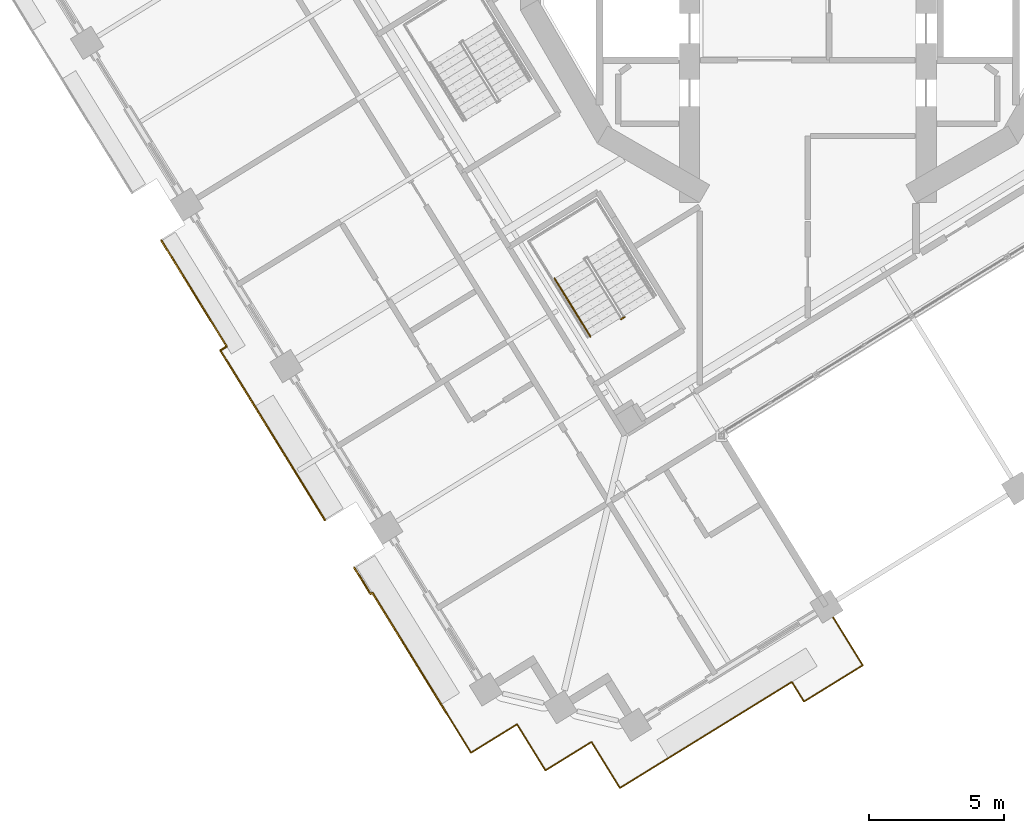
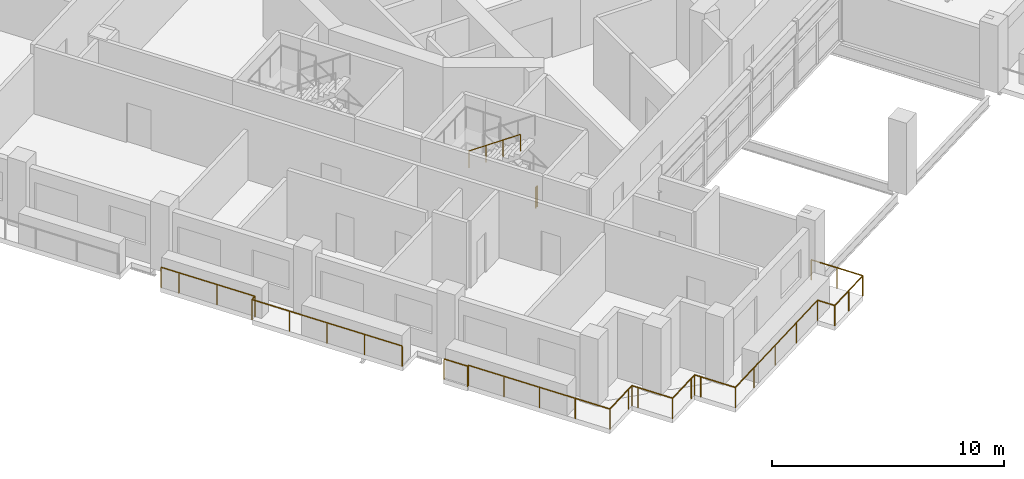
# One storey, part 16 of 22: 6 railings.
"""IFC4 building model written with IfcOpenShell, lengths in metres."""

from ifc_helpers import new_model, si_unit, direction, frame, origin, origin_2d, place, context, subcontext, project, spatial, circle, extrude, material, type_object, element, save


model = new_model("IFC4")

# Units and contexts
model_context = context("Model", 3, precision=1e-05, world=origin(), true_north=direction((0.0, 1.0)))
body_context = subcontext(model_context, "Body", "Model", "MODEL_VIEW")
ifc_project = project(units=[si_unit("LENGTHUNIT", "METRE"), si_unit("AREAUNIT", "SQUARE_METRE"), si_unit("VOLUMEUNIT", "CUBIC_METRE"), si_unit("PLANEANGLEUNIT", "RADIAN"), si_unit("MASSUNIT", "GRAM", prefix="KILO")], contexts=[model_context])

# Site, building, storey
site_placement = place(None, origin())
site = spatial("IfcSite", under=ifc_project, at=site_placement, CompositionType="ELEMENT")
building_placement = place(site_placement, origin())
building = spatial("IfcBuilding", under=site, at=building_placement, Name="Cantera Rosa Tower", CompositionType="ELEMENT")
storey_placement = place(building_placement, frame((0.0, 0.0, 178.0)))
storey = spatial("IfcBuildingStorey", under=building, at=storey_placement, Name="L39", CompositionType="ELEMENT", Elevation=178.0)

# Railings
ifc_material_1 = material(Name="Stainless steel and laminated glass", Category="steel")
railing_type_1 = type_object("IfcRailingType", Name="GUARD 1100", PredefinedType="BALUSTRADE", material=ifc_material_1)
railing_1_placement = place(storey_placement, frame((-13.34130859375, -28.848876953125, 0.0)))
element("IfcRailing", 1, at=railing_1_placement, inside=storey, type_object=railing_type_1, Name="GUARD L39-1", PredefinedType="BALUSTRADE", context=body_context, shape_type="SweptSolid", body=[
    extrude(circle(Radius=0.030029296875, at=origin_2d()), frame((0.0, 0.0, 1.070068359375), z_axis=(-0.524980961903, 0.85111396983, 0.0), x_axis=(-0.85111396983, -0.524980961903, 0.0)), (0.0, 0.0, 1.0), 5.240234375),
    extrude(circle(Radius=0.030029296875, at=origin_2d()), frame((-2.7509765625, 4.4599609375, 1.070068359375), z_axis=(-0.851763497745, -0.523926468037, 0.0), x_axis=(0.523926468037, -0.851763497745, 0.0)), (0.0, 0.0, 1.0), 0.07958984375),
    extrude(circle(Radius=0.030029296875, at=origin_2d()), frame((-2.81884765625, 4.418212890625, 1.070068359375), z_axis=(-0.524950242429, 0.851132917336, 0.0), x_axis=(-0.851132917336, -0.524950242429, 0.0)), (0.0, 0.0, 1.0), 1.149658203125),
    extrude(circle(Radius=0.02490234375, at=origin_2d()), origin(), (0.0, 0.0, 1.0), 1.0400390625),
    extrude(circle(Radius=0.02490234375, at=origin_2d()), frame((-0.9169921875, 1.486572265625, 0.0)), (0.0, 0.0, 1.0), 1.0400390625),
    extrude(circle(Radius=0.02490234375, at=origin_2d()), frame((-1.833984375, 2.973388671875, 0.0)), (0.0, 0.0, 1.0), 1.0400390625),
    extrude(circle(Radius=0.02490234375, at=origin_2d()), frame((-2.7509765625, 4.4599609375, 0.0)), (0.0, 0.0, 1.0), 1.0400390625),
    extrude(circle(Radius=0.02490234375, at=origin_2d()), frame((-2.81884765625, 4.418212890625, 0.0)), (0.0, 0.0, 1.0), 1.0400390625),
    extrude(circle(Radius=0.02490234375, at=origin_2d()), frame((-3.42236328125, 5.396728515625, 0.0)), (0.0, 0.0, 1.0), 1.0400390625),
])
railing_2_placement = place(storey_placement, frame((0.701904296875, -24.910400390625, 0.0)))
element("IfcRailing", 2, at=railing_2_placement, inside=storey, type_object=railing_type_1, Name="GUARD L39-2", PredefinedType="BALUSTRADE", context=body_context, shape_type="SweptSolid", body=[
    extrude(circle(Radius=0.030029296875, at=origin_2d()), frame((0.0, 0.0, 1.070068359375), z_axis=(0.524979524109, -0.851114856683, 0.0), x_axis=(0.851114856683, 0.524979524109, 0.0)), (0.0, 0.0, 1.0), 2.53173828125),
    extrude(circle(Radius=0.030029296875, at=origin_2d()), frame((1.3291015625, -2.15478515625, 1.070068359375), z_axis=(-0.851122422221, -0.5249672584, 0.0), x_axis=(0.5249672584, -0.851122422221, 0.0)), (0.0, 0.0, 1.0), 2.5517578125),
    extrude(circle(Radius=0.030029296875, at=origin_2d()), frame((-0.8427734375, -3.494384765625, 1.070068359375), z_axis=(-0.525120578111, 0.851027836469, 0.0), x_axis=(-0.851027836469, -0.525120578111, 0.0)), (0.0, 0.0, 1.0), 0.851806640625),
    extrude(circle(Radius=0.030029296875, at=origin_2d()), frame((-1.2900390625, -2.76953125, 1.070068359375), z_axis=(-0.851124537433, -0.524963829021, 0.0), x_axis=(0.524963829021, -0.851124537433, 0.0)), (0.0, 0.0, 1.0), 5.76806640625),
    extrude(circle(Radius=0.030029296875, at=origin_2d()), frame((-6.199462890625, -5.797607421875, 1.070068359375), z_axis=(-0.851130227454, -0.524954603669, 0.0), x_axis=(0.524954603669, -0.851130227454, 0.0)), (0.0, 0.0, 1.0), 1.699951171875),
    extrude(circle(Radius=0.030029296875, at=origin_2d()), frame((-7.646240234375, -6.68994140625, 1.070068359375), z_axis=(-0.525058638144, 0.851066052965, 0.0), x_axis=(-0.851066052965, -0.525058638144, 0.0)), (0.0, 0.0, 1.0), 1.699951171875),
    extrude(circle(Radius=0.030029296875, at=origin_2d()), frame((-8.538818359375, -5.2431640625, 1.070068359375), z_axis=(-0.524869051004, 0.85118298814, 0.0), x_axis=(-0.85118298814, -0.524869051004, 0.0)), (0.0, 0.0, 1.0), 0.300048828125),
    extrude(circle(Radius=0.030029296875, at=origin_2d()), frame((-8.6962890625, -4.98779296875, 1.070068359375), z_axis=(-0.85118298814, -0.524869051004, 0.0), x_axis=(0.524869051004, -0.85118298814, 0.0)), (0.0, 0.0, 1.0), 0.300048828125),
    extrude(circle(Radius=0.030029296875, at=origin_2d()), frame((-8.95166015625, -5.145263671875, 1.070068359375), z_axis=(-0.851066052965, -0.525058638144, 0.0), x_axis=(0.525058638144, -0.851066052965, 0.0)), (0.0, 0.0, 1.0), 1.699951171875),
    extrude(circle(Radius=0.030029296875, at=origin_2d()), frame((-10.3984375, -6.037841796875, 1.070068359375), z_axis=(-0.524994468487, 0.851105638601, 0.0), x_axis=(-0.851105638601, -0.524994468487, 0.0)), (0.0, 0.0, 1.0), 1.7001953125),
    extrude(circle(Radius=0.030029296875, at=origin_2d()), frame((-11.291015625, -4.5908203125, 1.070068359375), z_axis=(-0.524869051004, 0.85118298814, 0.0), x_axis=(-0.85118298814, -0.524869051004, 0.0)), (0.0, 0.0, 1.0), 0.300048828125),
    extrude(circle(Radius=0.030029296875, at=origin_2d()), frame((-11.448486328125, -4.33544921875, 1.070068359375), z_axis=(-0.85118298814, -0.524869051004, 0.0), x_axis=(0.524869051004, -0.85118298814, 0.0)), (0.0, 0.0, 1.0), 0.300048828125),
    extrude(circle(Radius=0.030029296875, at=origin_2d()), frame((-11.703857421875, -4.492919921875, 1.070068359375), z_axis=(-0.851066052965, -0.525058638144, 0.0), x_axis=(0.525058638144, -0.851066052965, 0.0)), (0.0, 0.0, 1.0), 1.699951171875),
    extrude(circle(Radius=0.030029296875, at=origin_2d()), frame((-13.150634765625, -5.385498046875, 1.070068359375), z_axis=(-0.524994468487, 0.851105638601, 0.0), x_axis=(-0.851105638601, -0.524994468487, 0.0)), (0.0, 0.0, 1.0), 1.7001953125),
    extrude(circle(Radius=0.02490234375, at=origin_2d()), origin(), (0.0, 0.0, 1.0), 1.0400390625),
    extrude(circle(Radius=0.02490234375, at=origin_2d()), frame((0.66455078125, -1.077392578125, 0.0)), (0.0, 0.0, 1.0), 1.0400390625),
    extrude(circle(Radius=0.02490234375, at=origin_2d()), frame((1.3291015625, -2.15478515625, 0.0)), (0.0, 0.0, 1.0), 1.0400390625),
    extrude(circle(Radius=0.02490234375, at=origin_2d()), frame((0.2431640625, -2.82470703125, 0.0)), (0.0, 0.0, 1.0), 1.0400390625),
    extrude(circle(Radius=0.02490234375, at=origin_2d()), frame((-0.8427734375, -3.494384765625, 0.0)), (0.0, 0.0, 1.0), 1.0400390625),
    extrude(circle(Radius=0.02490234375, at=origin_2d()), frame((-1.2900390625, -2.76953125, 0.0)), (0.0, 0.0, 1.0), 1.0400390625),
    extrude(circle(Radius=0.02490234375, at=origin_2d()), frame((-2.926513671875, -3.77880859375, 0.0)), (0.0, 0.0, 1.0), 1.0400390625),
    extrude(circle(Radius=0.02490234375, at=origin_2d()), frame((-4.56298828125, -4.788330078125, 0.0)), (0.0, 0.0, 1.0), 1.0400390625),
    extrude(circle(Radius=0.02490234375, at=origin_2d()), frame((-6.199462890625, -5.797607421875, 0.0)), (0.0, 0.0, 1.0), 1.0400390625),
    extrude(circle(Radius=0.02490234375, at=origin_2d()), frame((-7.646240234375, -6.68994140625, 0.0)), (0.0, 0.0, 1.0), 1.0400390625),
    extrude(circle(Radius=0.02490234375, at=origin_2d()), frame((-8.538818359375, -5.2431640625, 0.0)), (0.0, 0.0, 1.0), 1.0400390625),
    extrude(circle(Radius=0.02490234375, at=origin_2d()), frame((-8.6962890625, -4.98779296875, 0.0)), (0.0, 0.0, 1.0), 1.0400390625),
    extrude(circle(Radius=0.02490234375, at=origin_2d()), frame((-8.95166015625, -5.145263671875, 0.0)), (0.0, 0.0, 1.0), 1.0400390625),
    extrude(circle(Radius=0.02490234375, at=origin_2d()), frame((-10.3984375, -6.037841796875, 0.0)), (0.0, 0.0, 1.0), 1.0400390625),
    extrude(circle(Radius=0.02490234375, at=origin_2d()), frame((-11.291015625, -4.5908203125, 0.0)), (0.0, 0.0, 1.0), 1.0400390625),
    extrude(circle(Radius=0.02490234375, at=origin_2d()), frame((-11.448486328125, -4.33544921875, 0.0)), (0.0, 0.0, 1.0), 1.0400390625),
    extrude(circle(Radius=0.02490234375, at=origin_2d()), frame((-11.703857421875, -4.492919921875, 0.0)), (0.0, 0.0, 1.0), 1.0400390625),
    extrude(circle(Radius=0.02490234375, at=origin_2d()), frame((-13.150634765625, -5.385498046875, 0.0)), (0.0, 0.0, 1.0), 1.0400390625),
    extrude(circle(Radius=0.02490234375, at=origin_2d()), frame((-14.043212890625, -3.9384765625, 0.0)), (0.0, 0.0, 1.0), 1.0400390625),
])
railing_3_placement = place(storey_placement, frame((-21.7138671875, -15.426513671875, 0.0)))
element("IfcRailing", 3, at=railing_3_placement, inside=storey, type_object=railing_type_1, Name="GUARD L39-3", PredefinedType="BALUSTRADE", context=body_context, shape_type="SweptSolid", body=[
    extrude(circle(Radius=0.030029296875, at=origin_2d()), frame((0.0, 0.0, 1.070068359375), z_axis=(0.850637179095, 0.525753164081, 0.0), x_axis=(-0.525753164081, 0.850637179095, 0.0)), (0.0, 0.0, 1.0), 0.279541015625),
    extrude(circle(Radius=0.030029296875, at=origin_2d()), frame((0.23779296875, 0.14697265625, 1.070068359375), z_axis=(-0.524949392949, 0.851133441267, 0.0), x_axis=(-0.851133441267, -0.524949392949, 0.0)), (0.0, 0.0, 1.0), 3.740234375),
    extrude(circle(Radius=0.030029296875, at=origin_2d()), frame((-1.7255859375, 3.330322265625, 1.070068359375), z_axis=(-0.525020841331, 0.851089370259, 0.0), x_axis=(-0.851089370259, -0.525020841331, 0.0)), (0.0, 0.0, 1.0), 0.8701171875),
    extrude(circle(Radius=0.02490234375, at=origin_2d()), origin(), (0.0, 0.0, 1.0), 1.0400390625),
    extrude(circle(Radius=0.02490234375, at=origin_2d()), frame((0.23779296875, 0.14697265625, 0.0)), (0.0, 0.0, 1.0), 1.0400390625),
    extrude(circle(Radius=0.02490234375, at=origin_2d()), frame((-0.743896484375, 1.73876953125, 0.0)), (0.0, 0.0, 1.0), 1.0400390625),
    extrude(circle(Radius=0.02490234375, at=origin_2d()), frame((-1.7255859375, 3.330322265625, 0.0)), (0.0, 0.0, 1.0), 1.0400390625),
    extrude(circle(Radius=0.02490234375, at=origin_2d()), frame((-2.182373046875, 4.07080078125, 0.0)), (0.0, 0.0, 1.0), 1.0400390625),
])
railing_4_placement = place(storey_placement, frame((-17.844970703125, -21.69873046875, 0.0)))
element("IfcRailing", 4, at=railing_4_placement, inside=storey, type_object=railing_type_1, Name="GUARD L39-4", PredefinedType="BALUSTRADE", context=body_context, shape_type="SweptSolid", body=[
    extrude(circle(Radius=0.030029296875, at=origin_2d()), frame((0.0, 0.0, 1.070068359375), z_axis=(-0.524989905381, 0.851108453282, 0.0), x_axis=(-0.851108453282, -0.524989905381, 0.0)), (0.0, 0.0, 1.0), 7.369384765625),
    extrude(circle(Radius=0.02490234375, at=origin_2d()), origin(), (0.0, 0.0, 1.0), 1.0400390625),
    extrude(circle(Radius=0.02490234375, at=origin_2d()), frame((-0.96728515625, 1.568115234375, 0.0)), (0.0, 0.0, 1.0), 1.0400390625),
    extrude(circle(Radius=0.02490234375, at=origin_2d()), frame((-1.9345703125, 3.13623046875, 0.0)), (0.0, 0.0, 1.0), 1.0400390625),
    extrude(circle(Radius=0.02490234375, at=origin_2d()), frame((-2.901611328125, 4.7041015625, 0.0)), (0.0, 0.0, 1.0), 1.0400390625),
    extrude(circle(Radius=0.02490234375, at=origin_2d()), frame((-3.868896484375, 6.272216796875, 0.0)), (0.0, 0.0, 1.0), 1.0400390625),
])
ifc_material_2 = material(Name="Steel S355J2 (EN 10025-2)", Category="steel")
railing_type_2 = type_object("IfcRailingType", Name="STAIR GUARD 1100", PredefinedType="GUARDRAIL", material=ifc_material_2)
railing_5_placement = place(storey_placement, frame((-6.77490234375, -14.19482421875, 0.0)))
element("IfcRailing", 5, at=railing_5_placement, inside=storey, type_object=railing_type_2, Name="L39 ST-33 stair guard 3", PredefinedType="GUARDRAIL", context=body_context, shape_type="SweptSolid", body=[
    extrude(circle(Radius=0.02392578125, at=origin_2d()), frame((0.0, 0.0, 1.076171875), z_axis=(-0.851546489876, -0.524279100842, 0.0), x_axis=(0.524279100842, -0.851546489876, 0.0)), (0.0, 0.0, 1.0), 0.14990234375),
    extrude(circle(Radius=0.02099609375, at=origin_2d()), origin(), (0.0, 0.0, 1.0), 1.052001953125),
    extrude(circle(Radius=0.02099609375, at=origin_2d()), frame((-0.127685546875, -0.07861328125, 0.0)), (0.0, 0.0, 1.0), 1.052001953125),
])
ifc_material_3 = material(Name="Steel S355J2 (EN 10025-2)", Category="steel")
railing_type_3 = type_object("IfcRailingType", Name="STAIR HANDRAIL 900", PredefinedType="HANDRAIL", material=ifc_material_3)
railing_6_placement = place(storey_placement, frame((-9.358154296875, -12.7685546875, 2.090087890625)))
element("IfcRailing", 6, at=railing_6_placement, inside=storey, type_object=railing_type_3, Name="L39 ST-33 stair handrail 2", PredefinedType="HANDRAIL", context=body_context, shape_type="SweptSolid", body=[
    extrude(circle(Radius=0.02392578125, at=origin_2d()), frame((0.0, 0.0, 0.8759765625), z_axis=(0.434362572038, -0.70429590169, 0.561512634654), x_axis=(0.851145618652, 0.524929648476, 0.0)), (0.0, 0.0, 1.0), 3.045166015625),
    extrude(circle(Radius=0.02099609375, at=origin_2d()), origin(), (0.0, 0.0, 1.0), 0.851806640625),
    extrude(circle(Radius=0.02099609375, at=origin_2d()), frame((0.44091796875, -0.71484375, 0.570068359375)), (0.0, 0.0, 1.0), 0.851806640625),
    extrude(circle(Radius=0.02099609375, at=origin_2d()), frame((0.8818359375, -1.429931640625, 1.139892578125)), (0.0, 0.0, 1.0), 0.851806640625),
    extrude(circle(Radius=0.02099609375, at=origin_2d()), frame((1.32275390625, -2.144775390625, 1.7099609375)), (0.0, 0.0, 1.0), 0.851806640625),
])

save(model, "model.ifc")
